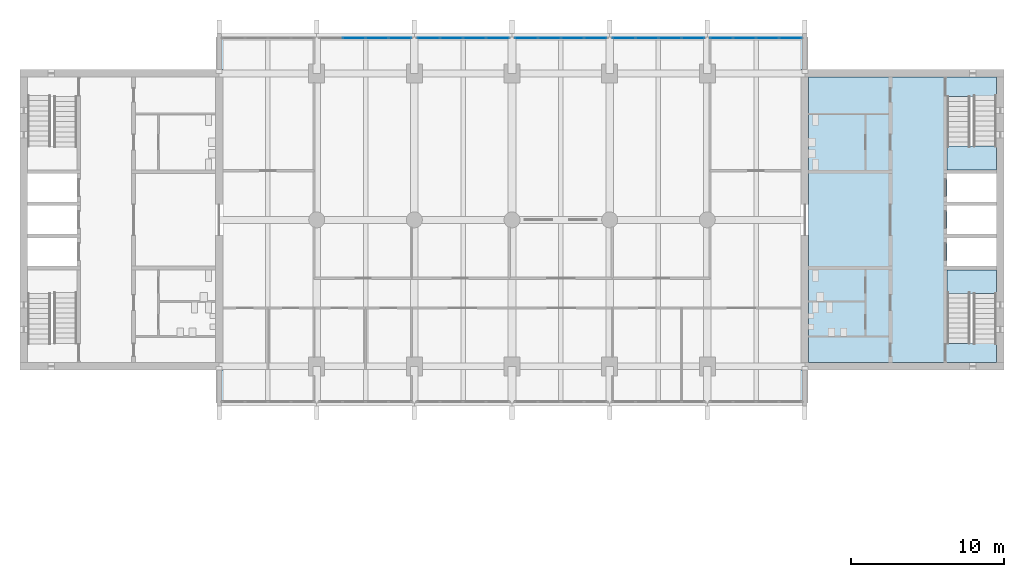
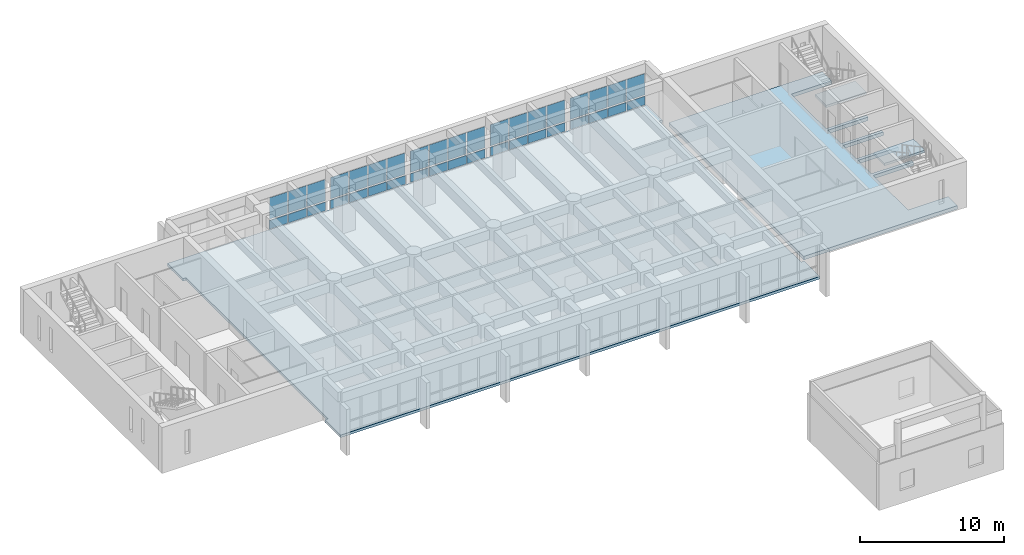
# One storey, part 9 of 19: 38 plates, 4 slabs, 7 elements without a shape of their own.
"""IFC4 building model written with IfcOpenShell, lengths in metres."""

from ifc_helpers import new_model, si_unit, direction, frame, origin, origin_2d, place, context, subcontext, project, spatial, polyline, rectangle, outline, extrude, material, layer, layer_set, type_object, element, aggregate, save


model = new_model("IFC4")

# Units and contexts
model_context = context("Model", 3, precision=1e-05, world=origin(), true_north=direction((0.0, 1.0)))
body_context = subcontext(model_context, "Body", "Model", "MODEL_VIEW")
ifc_project = project(units=[si_unit("LENGTHUNIT", "METRE"), si_unit("AREAUNIT", "SQUARE_METRE"), si_unit("VOLUMEUNIT", "CUBIC_METRE"), si_unit("PLANEANGLEUNIT", "RADIAN"), si_unit("MASSUNIT", "GRAM", prefix="KILO")], contexts=[model_context])

# Site, building, storey
site_placement = place(None, origin())
site = spatial("IfcSite", under=ifc_project, at=site_placement, CompositionType="ELEMENT")
building_placement = place(site_placement, origin())
building = spatial("IfcBuilding", under=site, at=building_placement, Name="Fogon Plaza Fire Station and Headquarters Tower", CompositionType="ELEMENT")
storey_placement = place(building_placement, frame((0.0, 0.0, 24.89990234375)))
storey = spatial("IfcBuildingStorey", under=building, at=storey_placement, Name="L06", CompositionType="ELEMENT", Elevation=24.89990234375)

# Slabs
ifc_material_1 = material(Name="Concrete C40", Category="concrete")
ifc_layer_1 = layer(ifc_material_1, 0.300048828125)
ifc_layer_set_1 = layer_set([ifc_layer_1], Name="Concrete C40")
slab_type_1 = type_object("IfcSlabType", Name="Core Floor Slab RC 300", PredefinedType="FLOOR", material=ifc_layer_set_1)
slab_1_placement = place(storey_placement, frame((0.0, 0.0, -0.2998046875)))
element("IfcSlab", 1, at=slab_1_placement, inside=storey, type_object=slab_type_1, Name="Core B floor", PredefinedType="FLOOR", context=body_context, shape_type="SweptSolid", body=[
    extrude(outline(polyline([(76.550048828125, 35.110107421875), (73.324951171875, 35.110107421875), (73.324951171875, 39.925048828125), (76.550048828125, 39.925048828125), (76.550048828125, 40.175048828125), (73.324951171875, 40.175048828125), (73.324951171875, 42.02490234375), (76.550048828125, 42.02490234375), (76.550048828125, 42.27490234375), (73.324951171875, 42.27490234375), (73.324951171875, 44.125), (76.550048828125, 44.125), (76.550048828125, 44.375), (73.324951171875, 44.375), (73.324951171875, 46.22509765625), (76.550048828125, 46.22509765625), (76.550048828125, 46.47509765625), (73.324951171875, 46.47509765625), (73.324951171875, 51.2900390625), (76.550048828125, 51.2900390625), (76.550048828125, 52.550048828125), (64.25, 52.550048828125), (64.25, 33.85009765625), (76.550048828125, 33.85009765625), (76.550048828125, 35.110107421875)])), origin(), (0.0, 0.0, 1.0), 0.2998046875),
])
ifc_material_2 = material(Name="Concrete C40", Category="concrete")
ifc_layer_2 = layer(ifc_material_2, 0.219970703125)
ifc_layer_set_2 = layer_set([ifc_layer_2], Name="Concrete C40")
slab_type_2 = type_object("IfcSlabType", Name="Floor slab 220 S22", PredefinedType="FLOOR", material=ifc_layer_set_2)
slab_2_placement = place(storey_placement, frame((0.0, 0.0, -0.219970703125)))
element("IfcSlab", 2, at=slab_2_placement, inside=storey, type_object=slab_type_2, Name="slab-L06-bar", PredefinedType="FLOOR", context=body_context, shape_type="SweptSolid", body=[
    extrude(outline(polyline([(64.0, 31.199951171875), (25.60009765625, 31.199951171875), (25.60009765625, 33.35009765625), (25.85009765625, 33.35009765625), (25.85009765625, 53.050048828125), (25.60009765625, 53.050048828125), (25.60009765625, 55.199951171875), (64.0, 55.199951171875), (64.0, 53.050048828125), (63.75, 53.050048828125), (63.75, 33.35009765625), (64.0, 33.35009765625), (64.0, 31.199951171875)])), origin(), (0.0, 0.0, 1.0), 0.219970703125),
])

# Curtain wall, plates
ifc_material_3 = material(Name="Aluminium and glass", Category="aluminium")
ifc_layer_3 = layer(ifc_material_3, 0.14990234375)
ifc_layer_set_3 = layer_set([ifc_layer_3], Name="Aluminium and glass")
curtain_wall_type = type_object("IfcCurtainWallType", Name="Unitised Curtain Wall Run 6100x2880", PredefinedType="NOTDEFINED", material=ifc_layer_set_3)
curtain_wall_1_placement = place(storey_placement, origin())
curtain_wall_1 = element("IfcCurtainWall", 3, at=curtain_wall_1_placement, inside=storey, type_object=curtain_wall_type, Name="CW-6100x2880 N2 L06", PredefinedType="NOTDEFINED")
ifc_material_4 = material(Name="Insulated aluminium spandrel", Category="aluminium")
ifc_layer_4 = layer(ifc_material_4, 0.06005859375)
ifc_layer_set_4 = layer_set([ifc_layer_4], Name="Insulated aluminium spandrel")
plate_type_1 = type_object("IfcPlateType", Name="Insulated Spandrel Panel", PredefinedType="CURTAIN_PANEL", material=ifc_layer_set_4)
plate_1_placement = place(storey_placement, frame((34.445068359375, 55.1201171875, 0.1201171875), z_axis=(0.0, 0.0, 1.0), x_axis=(1.0, 0.0, 0.0)))
plate_1 = element("IfcPlate", 4, at=plate_1_placement, type_object=plate_type_1, Name="SP1 panel 2.1", PredefinedType="CURTAIN_PANEL", context=body_context, shape_type="SweptSolid", body=[
    extrude(rectangle(XDim=1.449951171875, YDim=0.06005859375, at=origin_2d()), origin(), (0.0, 0.0, 1.0), 0.719970703125),
])
plate_2_placement = place(storey_placement, frame((35.955078125, 55.1201171875, 0.1201171875), z_axis=(0.0, 0.0, 1.0), x_axis=(1.0, 0.0, 0.0)))
plate_2 = element("IfcPlate", 5, at=plate_2_placement, type_object=plate_type_1, Name="SP1 panel 3.1", PredefinedType="CURTAIN_PANEL", context=body_context, shape_type="SweptSolid", body=[
    extrude(rectangle(XDim=1.449951171875, YDim=0.06005859375, at=origin_2d()), origin(), (0.0, 0.0, 1.0), 0.719970703125),
])
plate_3_placement = place(storey_placement, frame((37.465087890625, 55.1201171875, 0.1201171875), z_axis=(0.0, 0.0, 1.0), x_axis=(1.0, 0.0, 0.0)))
plate_3 = element("IfcPlate", 6, at=plate_3_placement, type_object=plate_type_1, Name="SP1 panel 4.1", PredefinedType="CURTAIN_PANEL", context=body_context, shape_type="SweptSolid", body=[
    extrude(rectangle(XDim=1.449951171875, YDim=0.06005859375, at=origin_2d()), origin(), (0.0, 0.0, 1.0), 0.719970703125),
])

curtain_wall_2_placement = place(storey_placement, origin())
curtain_wall_2 = element("IfcCurtainWall", 7, at=curtain_wall_2_placement, inside=storey, type_object=curtain_wall_type, Name="CW-6100x2880 N3 L06", PredefinedType="NOTDEFINED")
plate_4_placement = place(storey_placement, frame((39.3349609375, 55.1201171875, 0.1201171875), z_axis=(0.0, 0.0, 1.0), x_axis=(1.0, 0.0, 0.0)))
plate_4 = element("IfcPlate", 8, at=plate_4_placement, type_object=plate_type_1, Name="SP1 panel 1.1", PredefinedType="CURTAIN_PANEL", context=body_context, shape_type="SweptSolid", body=[
    extrude(rectangle(XDim=1.449951171875, YDim=0.06005859375, at=origin_2d()), origin(), (0.0, 0.0, 1.0), 0.719970703125),
])
plate_5_placement = place(storey_placement, frame((40.844970703125, 55.1201171875, 0.1201171875), z_axis=(0.0, 0.0, 1.0), x_axis=(1.0, 0.0, 0.0)))
plate_5 = element("IfcPlate", 9, at=plate_5_placement, type_object=plate_type_1, Name="SP1 panel 2.1", PredefinedType="CURTAIN_PANEL", context=body_context, shape_type="SweptSolid", body=[
    extrude(rectangle(XDim=1.449951171875, YDim=0.06005859375, at=origin_2d()), origin(), (0.0, 0.0, 1.0), 0.719970703125),
])
plate_6_placement = place(storey_placement, frame((42.35498046875, 55.1201171875, 0.1201171875), z_axis=(0.0, 0.0, 1.0), x_axis=(1.0, 0.0, 0.0)))
plate_6 = element("IfcPlate", 10, at=plate_6_placement, type_object=plate_type_1, Name="SP1 panel 3.1", PredefinedType="CURTAIN_PANEL", context=body_context, shape_type="SweptSolid", body=[
    extrude(rectangle(XDim=1.449951171875, YDim=0.06005859375, at=origin_2d()), origin(), (0.0, 0.0, 1.0), 0.719970703125),
])
plate_7_placement = place(storey_placement, frame((43.864990234375, 55.1201171875, 0.1201171875), z_axis=(0.0, 0.0, 1.0), x_axis=(1.0, 0.0, 0.0)))
plate_7 = element("IfcPlate", 11, at=plate_7_placement, type_object=plate_type_1, Name="SP1 panel 4.1", PredefinedType="CURTAIN_PANEL", context=body_context, shape_type="SweptSolid", body=[
    extrude(rectangle(XDim=1.449951171875, YDim=0.06005859375, at=origin_2d()), origin(), (0.0, 0.0, 1.0), 0.719970703125),
])

curtain_wall_3_placement = place(storey_placement, origin())
curtain_wall_3 = element("IfcCurtainWall", 12, at=curtain_wall_3_placement, inside=storey, type_object=curtain_wall_type, Name="CW-6100x2880 N4 L06", PredefinedType="NOTDEFINED")
plate_8_placement = place(storey_placement, frame((45.735107421875, 55.1201171875, 0.1201171875), z_axis=(0.0, 0.0, 1.0), x_axis=(1.0, 0.0, 0.0)))
plate_8 = element("IfcPlate", 13, at=plate_8_placement, type_object=plate_type_1, Name="SP1 panel 1.1", PredefinedType="CURTAIN_PANEL", context=body_context, shape_type="SweptSolid", body=[
    extrude(rectangle(XDim=1.449951171875, YDim=0.06005859375, at=origin_2d()), origin(), (0.0, 0.0, 1.0), 0.719970703125),
])
plate_9_placement = place(storey_placement, frame((47.2451171875, 55.1201171875, 0.1201171875), z_axis=(0.0, 0.0, 1.0), x_axis=(1.0, 0.0, 0.0)))
plate_9 = element("IfcPlate", 14, at=plate_9_placement, type_object=plate_type_1, Name="SP1 panel 2.1", PredefinedType="CURTAIN_PANEL", context=body_context, shape_type="SweptSolid", body=[
    extrude(rectangle(XDim=1.449951171875, YDim=0.06005859375, at=origin_2d()), origin(), (0.0, 0.0, 1.0), 0.719970703125),
])
plate_10_placement = place(storey_placement, frame((48.7548828125, 55.1201171875, 0.1201171875), z_axis=(0.0, 0.0, 1.0), x_axis=(1.0, 0.0, 0.0)))
plate_10 = element("IfcPlate", 15, at=plate_10_placement, type_object=plate_type_1, Name="SP1 panel 3.1", PredefinedType="CURTAIN_PANEL", context=body_context, shape_type="SweptSolid", body=[
    extrude(rectangle(XDim=1.449951171875, YDim=0.06005859375, at=origin_2d()), origin(), (0.0, 0.0, 1.0), 0.719970703125),
])
plate_11_placement = place(storey_placement, frame((50.264892578125, 55.1201171875, 0.1201171875), z_axis=(0.0, 0.0, 1.0), x_axis=(1.0, 0.0, 0.0)))
plate_11 = element("IfcPlate", 16, at=plate_11_placement, type_object=plate_type_1, Name="SP1 panel 4.1", PredefinedType="CURTAIN_PANEL", context=body_context, shape_type="SweptSolid", body=[
    extrude(rectangle(XDim=1.449951171875, YDim=0.06005859375, at=origin_2d()), origin(), (0.0, 0.0, 1.0), 0.719970703125),
])

curtain_wall_4_placement = place(storey_placement, origin())
curtain_wall_4 = element("IfcCurtainWall", 17, at=curtain_wall_4_placement, inside=storey, type_object=curtain_wall_type, Name="CW-6100x2880 N5 L06", PredefinedType="NOTDEFINED")
plate_12_placement = place(storey_placement, frame((52.135009765625, 55.1201171875, 0.1201171875), z_axis=(0.0, 0.0, 1.0), x_axis=(1.0, 0.0, 0.0)))
plate_12 = element("IfcPlate", 18, at=plate_12_placement, type_object=plate_type_1, Name="SP1 panel 1.1", PredefinedType="CURTAIN_PANEL", context=body_context, shape_type="SweptSolid", body=[
    extrude(rectangle(XDim=1.449951171875, YDim=0.06005859375, at=origin_2d()), origin(), (0.0, 0.0, 1.0), 0.719970703125),
])
plate_13_placement = place(storey_placement, frame((53.64501953125, 55.1201171875, 0.1201171875), z_axis=(0.0, 0.0, 1.0), x_axis=(1.0, 0.0, 0.0)))
plate_13 = element("IfcPlate", 19, at=plate_13_placement, type_object=plate_type_1, Name="SP1 panel 2.1", PredefinedType="CURTAIN_PANEL", context=body_context, shape_type="SweptSolid", body=[
    extrude(rectangle(XDim=1.449951171875, YDim=0.06005859375, at=origin_2d()), origin(), (0.0, 0.0, 1.0), 0.719970703125),
])
plate_14_placement = place(storey_placement, frame((55.155029296875, 55.1201171875, 0.1201171875), z_axis=(0.0, 0.0, 1.0), x_axis=(1.0, 0.0, 0.0)))
plate_14 = element("IfcPlate", 20, at=plate_14_placement, type_object=plate_type_1, Name="SP1 panel 3.1", PredefinedType="CURTAIN_PANEL", context=body_context, shape_type="SweptSolid", body=[
    extrude(rectangle(XDim=1.449951171875, YDim=0.06005859375, at=origin_2d()), origin(), (0.0, 0.0, 1.0), 0.719970703125),
])
plate_15_placement = place(storey_placement, frame((56.6650390625, 55.1201171875, 0.1201171875), z_axis=(0.0, 0.0, 1.0), x_axis=(1.0, 0.0, 0.0)))
plate_15 = element("IfcPlate", 21, at=plate_15_placement, type_object=plate_type_1, Name="SP1 panel 4.1", PredefinedType="CURTAIN_PANEL", context=body_context, shape_type="SweptSolid", body=[
    extrude(rectangle(XDim=1.449951171875, YDim=0.06005859375, at=origin_2d()), origin(), (0.0, 0.0, 1.0), 0.719970703125),
])

curtain_wall_5_placement = place(storey_placement, origin())
curtain_wall_5 = element("IfcCurtainWall", 22, at=curtain_wall_5_placement, inside=storey, type_object=curtain_wall_type, Name="CW-6100x2880 N6 L06", PredefinedType="NOTDEFINED")
plate_16_placement = place(storey_placement, frame((58.534912109375, 55.1201171875, 0.1201171875), z_axis=(0.0, 0.0, 1.0), x_axis=(1.0, 0.0, 0.0)))
plate_16 = element("IfcPlate", 23, at=plate_16_placement, type_object=plate_type_1, Name="SP1 panel 1.1", PredefinedType="CURTAIN_PANEL", context=body_context, shape_type="SweptSolid", body=[
    extrude(rectangle(XDim=1.449951171875, YDim=0.06005859375, at=origin_2d()), origin(), (0.0, 0.0, 1.0), 0.719970703125),
])
plate_17_placement = place(storey_placement, frame((60.044921875, 55.1201171875, 0.1201171875), z_axis=(0.0, 0.0, 1.0), x_axis=(1.0, 0.0, 0.0)))
plate_17 = element("IfcPlate", 24, at=plate_17_placement, type_object=plate_type_1, Name="SP1 panel 2.1", PredefinedType="CURTAIN_PANEL", context=body_context, shape_type="SweptSolid", body=[
    extrude(rectangle(XDim=1.449951171875, YDim=0.06005859375, at=origin_2d()), origin(), (0.0, 0.0, 1.0), 0.719970703125),
])
plate_18_placement = place(storey_placement, frame((61.554931640625, 55.1201171875, 0.1201171875), z_axis=(0.0, 0.0, 1.0), x_axis=(1.0, 0.0, 0.0)))
plate_18 = element("IfcPlate", 25, at=plate_18_placement, type_object=plate_type_1, Name="SP1 panel 3.1", PredefinedType="CURTAIN_PANEL", context=body_context, shape_type="SweptSolid", body=[
    extrude(rectangle(XDim=1.449951171875, YDim=0.06005859375, at=origin_2d()), origin(), (0.0, 0.0, 1.0), 0.719970703125),
])
plate_19_placement = place(storey_placement, frame((63.06494140625, 55.1201171875, 0.1201171875), z_axis=(0.0, 0.0, 1.0), x_axis=(1.0, 0.0, 0.0)))
plate_19 = element("IfcPlate", 26, at=plate_19_placement, type_object=plate_type_1, Name="SP1 panel 4.1", PredefinedType="CURTAIN_PANEL", context=body_context, shape_type="SweptSolid", body=[
    extrude(rectangle(XDim=1.449951171875, YDim=0.06005859375, at=origin_2d()), origin(), (0.0, 0.0, 1.0), 0.719970703125),
])

# Stair, slab
ifc_material_5 = material(Name="Concrete C40", Category="concrete")
stair_type = type_object("IfcStairType", Name="Exit Stair Two Flights", PredefinedType="TWO_STRAIGHT_RUN_STAIR", material=ifc_material_5)
stair_1_placement = place(storey_placement, origin())
stair_1 = element("IfcStair", 27, at=stair_1_placement, inside=storey, type_object=stair_type, Name="Stair ST3", PredefinedType="TWO_STRAIGHT_RUN_STAIR")
ifc_material_6 = material(Name="Concrete C40", Category="concrete")
ifc_layer_5 = layer(ifc_material_6, 0.300048828125)
ifc_layer_set_5 = layer_set([ifc_layer_5], Name="Concrete C40")
slab_type_3 = type_object("IfcSlabType", Name="Stair Landing RC 300", PredefinedType="LANDING", material=ifc_layer_set_5)
slab_3_placement = place(storey_placement, frame((0.0, 0.0, 1.75)))
slab_3 = element("IfcSlab", 28, at=slab_3_placement, type_object=slab_type_3, Name="ST3 landing L08", PredefinedType="LANDING", context=body_context, shape_type="SweptSolid", body=[
    extrude(outline(polyline([(73.324951171875, 38.375), (76.550048828125, 38.375), (76.550048828125, 39.925048828125), (73.324951171875, 39.925048828125), (73.324951171875, 38.375)])), origin(), (0.0, 0.0, 1.0), 0.2001953125),
])
aggregate(stair_1, [slab_3])

stair_2_placement = place(storey_placement, origin())
stair_2 = element("IfcStair", 29, at=stair_2_placement, inside=storey, type_object=stair_type, Name="Stair ST4", PredefinedType="TWO_STRAIGHT_RUN_STAIR")
slab_4_placement = place(storey_placement, frame((0.0, 0.0, 1.75)))
slab_4 = element("IfcSlab", 30, at=slab_4_placement, type_object=slab_type_3, Name="ST4 landing L08", PredefinedType="LANDING", context=body_context, shape_type="SweptSolid", body=[
    extrude(outline(polyline([(73.324951171875, 46.47509765625), (76.550048828125, 46.47509765625), (76.550048828125, 48.02490234375), (73.324951171875, 48.02490234375), (73.324951171875, 46.47509765625)])), origin(), (0.0, 0.0, 1.0), 0.2001953125),
])
aggregate(stair_2, [slab_4])

# Plate
ifc_material_7 = material(Name="Low-e double glazing", Category="glass")
ifc_layer_6 = layer(ifc_material_7, 0.028076171875)
ifc_layer_set_6 = layer_set([ifc_layer_6], Name="Low-e double glazing")
plate_type_2 = type_object("IfcPlateType", Name="Vision Glass Panel 1450x1800", PredefinedType="CURTAIN_PANEL", material=ifc_layer_set_6)
plate_20_placement = place(storey_placement, frame((34.445068359375, 55.1201171875, 0.9599609375), z_axis=(0.0, 0.0, 1.0), x_axis=(1.0, 0.0, 0.0)))
plate_20 = element("IfcPlate", 31, at=plate_20_placement, type_object=plate_type_2, Name="VG-1450x1800 panel 2.2", PredefinedType="CURTAIN_PANEL", context=body_context, shape_type="SweptSolid", body=[
    extrude(rectangle(XDim=1.449951171875, YDim=0.028076171875, at=origin_2d()), origin(), (0.0, 0.0, 1.0), 1.800048828125),
])

plate_21_placement = place(storey_placement, frame((35.955078125, 55.1201171875, 0.9599609375), z_axis=(0.0, 0.0, 1.0), x_axis=(1.0, 0.0, 0.0)))
plate_21 = element("IfcPlate", 32, at=plate_21_placement, type_object=plate_type_2, Name="VG-1450x1800 panel 3.2", PredefinedType="CURTAIN_PANEL", context=body_context, shape_type="SweptSolid", body=[
    extrude(rectangle(XDim=1.449951171875, YDim=0.028076171875, at=origin_2d()), origin(), (0.0, 0.0, 1.0), 1.800048828125),
])

plate_22_placement = place(storey_placement, frame((37.465087890625, 55.1201171875, 0.9599609375), z_axis=(0.0, 0.0, 1.0), x_axis=(1.0, 0.0, 0.0)))
plate_22 = element("IfcPlate", 33, at=plate_22_placement, type_object=plate_type_2, Name="VG-1450x1800 panel 4.2", PredefinedType="CURTAIN_PANEL", context=body_context, shape_type="SweptSolid", body=[
    extrude(rectangle(XDim=1.449951171875, YDim=0.028076171875, at=origin_2d()), origin(), (0.0, 0.0, 1.0), 1.800048828125),
])

aggregate(curtain_wall_1, [plate_1, plate_20, plate_2, plate_21, plate_3, plate_22])

plate_23_placement = place(storey_placement, frame((39.3349609375, 55.1201171875, 0.9599609375), z_axis=(0.0, 0.0, 1.0), x_axis=(1.0, 0.0, 0.0)))
plate_23 = element("IfcPlate", 34, at=plate_23_placement, type_object=plate_type_2, Name="VG-1450x1800 panel 1.2", PredefinedType="CURTAIN_PANEL", context=body_context, shape_type="SweptSolid", body=[
    extrude(rectangle(XDim=1.449951171875, YDim=0.028076171875, at=origin_2d()), origin(), (0.0, 0.0, 1.0), 1.800048828125),
])

plate_24_placement = place(storey_placement, frame((40.844970703125, 55.1201171875, 0.9599609375), z_axis=(0.0, 0.0, 1.0), x_axis=(1.0, 0.0, 0.0)))
plate_24 = element("IfcPlate", 35, at=plate_24_placement, type_object=plate_type_2, Name="VG-1450x1800 panel 2.2", PredefinedType="CURTAIN_PANEL", context=body_context, shape_type="SweptSolid", body=[
    extrude(rectangle(XDim=1.449951171875, YDim=0.028076171875, at=origin_2d()), origin(), (0.0, 0.0, 1.0), 1.800048828125),
])

plate_25_placement = place(storey_placement, frame((42.35498046875, 55.1201171875, 0.9599609375), z_axis=(0.0, 0.0, 1.0), x_axis=(1.0, 0.0, 0.0)))
plate_25 = element("IfcPlate", 36, at=plate_25_placement, type_object=plate_type_2, Name="VG-1450x1800 panel 3.2", PredefinedType="CURTAIN_PANEL", context=body_context, shape_type="SweptSolid", body=[
    extrude(rectangle(XDim=1.449951171875, YDim=0.028076171875, at=origin_2d()), origin(), (0.0, 0.0, 1.0), 1.800048828125),
])

plate_26_placement = place(storey_placement, frame((43.864990234375, 55.1201171875, 0.9599609375), z_axis=(0.0, 0.0, 1.0), x_axis=(1.0, 0.0, 0.0)))
plate_26 = element("IfcPlate", 37, at=plate_26_placement, type_object=plate_type_2, Name="VG-1450x1800 panel 4.2", PredefinedType="CURTAIN_PANEL", context=body_context, shape_type="SweptSolid", body=[
    extrude(rectangle(XDim=1.449951171875, YDim=0.028076171875, at=origin_2d()), origin(), (0.0, 0.0, 1.0), 1.800048828125),
])

aggregate(curtain_wall_2, [plate_4, plate_23, plate_5, plate_24, plate_6, plate_25, plate_7, plate_26])

plate_27_placement = place(storey_placement, frame((45.735107421875, 55.1201171875, 0.9599609375), z_axis=(0.0, 0.0, 1.0), x_axis=(1.0, 0.0, 0.0)))
plate_27 = element("IfcPlate", 38, at=plate_27_placement, type_object=plate_type_2, Name="VG-1450x1800 panel 1.2", PredefinedType="CURTAIN_PANEL", context=body_context, shape_type="SweptSolid", body=[
    extrude(rectangle(XDim=1.449951171875, YDim=0.028076171875, at=origin_2d()), origin(), (0.0, 0.0, 1.0), 1.800048828125),
])

plate_28_placement = place(storey_placement, frame((47.2451171875, 55.1201171875, 0.9599609375), z_axis=(0.0, 0.0, 1.0), x_axis=(1.0, 0.0, 0.0)))
plate_28 = element("IfcPlate", 39, at=plate_28_placement, type_object=plate_type_2, Name="VG-1450x1800 panel 2.2", PredefinedType="CURTAIN_PANEL", context=body_context, shape_type="SweptSolid", body=[
    extrude(rectangle(XDim=1.449951171875, YDim=0.028076171875, at=origin_2d()), origin(), (0.0, 0.0, 1.0), 1.800048828125),
])

plate_29_placement = place(storey_placement, frame((48.7548828125, 55.1201171875, 0.9599609375), z_axis=(0.0, 0.0, 1.0), x_axis=(1.0, 0.0, 0.0)))
plate_29 = element("IfcPlate", 40, at=plate_29_placement, type_object=plate_type_2, Name="VG-1450x1800 panel 3.2", PredefinedType="CURTAIN_PANEL", context=body_context, shape_type="SweptSolid", body=[
    extrude(rectangle(XDim=1.449951171875, YDim=0.028076171875, at=origin_2d()), origin(), (0.0, 0.0, 1.0), 1.800048828125),
])

plate_30_placement = place(storey_placement, frame((50.264892578125, 55.1201171875, 0.9599609375), z_axis=(0.0, 0.0, 1.0), x_axis=(1.0, 0.0, 0.0)))
plate_30 = element("IfcPlate", 41, at=plate_30_placement, type_object=plate_type_2, Name="VG-1450x1800 panel 4.2", PredefinedType="CURTAIN_PANEL", context=body_context, shape_type="SweptSolid", body=[
    extrude(rectangle(XDim=1.449951171875, YDim=0.028076171875, at=origin_2d()), origin(), (0.0, 0.0, 1.0), 1.800048828125),
])

aggregate(curtain_wall_3, [plate_8, plate_27, plate_9, plate_28, plate_10, plate_29, plate_11, plate_30])

plate_31_placement = place(storey_placement, frame((52.135009765625, 55.1201171875, 0.9599609375), z_axis=(0.0, 0.0, 1.0), x_axis=(1.0, 0.0, 0.0)))
plate_31 = element("IfcPlate", 42, at=plate_31_placement, type_object=plate_type_2, Name="VG-1450x1800 panel 1.2", PredefinedType="CURTAIN_PANEL", context=body_context, shape_type="SweptSolid", body=[
    extrude(rectangle(XDim=1.449951171875, YDim=0.028076171875, at=origin_2d()), origin(), (0.0, 0.0, 1.0), 1.800048828125),
])

plate_32_placement = place(storey_placement, frame((53.64501953125, 55.1201171875, 0.9599609375), z_axis=(0.0, 0.0, 1.0), x_axis=(1.0, 0.0, 0.0)))
plate_32 = element("IfcPlate", 43, at=plate_32_placement, type_object=plate_type_2, Name="VG-1450x1800 panel 2.2", PredefinedType="CURTAIN_PANEL", context=body_context, shape_type="SweptSolid", body=[
    extrude(rectangle(XDim=1.449951171875, YDim=0.028076171875, at=origin_2d()), origin(), (0.0, 0.0, 1.0), 1.800048828125),
])

plate_33_placement = place(storey_placement, frame((55.155029296875, 55.1201171875, 0.9599609375), z_axis=(0.0, 0.0, 1.0), x_axis=(1.0, 0.0, 0.0)))
plate_33 = element("IfcPlate", 44, at=plate_33_placement, type_object=plate_type_2, Name="VG-1450x1800 panel 3.2", PredefinedType="CURTAIN_PANEL", context=body_context, shape_type="SweptSolid", body=[
    extrude(rectangle(XDim=1.449951171875, YDim=0.028076171875, at=origin_2d()), origin(), (0.0, 0.0, 1.0), 1.800048828125),
])

plate_34_placement = place(storey_placement, frame((56.6650390625, 55.1201171875, 0.9599609375), z_axis=(0.0, 0.0, 1.0), x_axis=(1.0, 0.0, 0.0)))
plate_34 = element("IfcPlate", 45, at=plate_34_placement, type_object=plate_type_2, Name="VG-1450x1800 panel 4.2", PredefinedType="CURTAIN_PANEL", context=body_context, shape_type="SweptSolid", body=[
    extrude(rectangle(XDim=1.449951171875, YDim=0.028076171875, at=origin_2d()), origin(), (0.0, 0.0, 1.0), 1.800048828125),
])

aggregate(curtain_wall_4, [plate_12, plate_31, plate_13, plate_32, plate_14, plate_33, plate_15, plate_34])

plate_35_placement = place(storey_placement, frame((58.534912109375, 55.1201171875, 0.9599609375), z_axis=(0.0, 0.0, 1.0), x_axis=(1.0, 0.0, 0.0)))
plate_35 = element("IfcPlate", 46, at=plate_35_placement, type_object=plate_type_2, Name="VG-1450x1800 panel 1.2", PredefinedType="CURTAIN_PANEL", context=body_context, shape_type="SweptSolid", body=[
    extrude(rectangle(XDim=1.449951171875, YDim=0.028076171875, at=origin_2d()), origin(), (0.0, 0.0, 1.0), 1.800048828125),
])

plate_36_placement = place(storey_placement, frame((60.044921875, 55.1201171875, 0.9599609375), z_axis=(0.0, 0.0, 1.0), x_axis=(1.0, 0.0, 0.0)))
plate_36 = element("IfcPlate", 47, at=plate_36_placement, type_object=plate_type_2, Name="VG-1450x1800 panel 2.2", PredefinedType="CURTAIN_PANEL", context=body_context, shape_type="SweptSolid", body=[
    extrude(rectangle(XDim=1.449951171875, YDim=0.028076171875, at=origin_2d()), origin(), (0.0, 0.0, 1.0), 1.800048828125),
])

plate_37_placement = place(storey_placement, frame((61.554931640625, 55.1201171875, 0.9599609375), z_axis=(0.0, 0.0, 1.0), x_axis=(1.0, 0.0, 0.0)))
plate_37 = element("IfcPlate", 48, at=plate_37_placement, type_object=plate_type_2, Name="VG-1450x1800 panel 3.2", PredefinedType="CURTAIN_PANEL", context=body_context, shape_type="SweptSolid", body=[
    extrude(rectangle(XDim=1.449951171875, YDim=0.028076171875, at=origin_2d()), origin(), (0.0, 0.0, 1.0), 1.800048828125),
])

plate_38_placement = place(storey_placement, frame((63.06494140625, 55.1201171875, 0.9599609375), z_axis=(0.0, 0.0, 1.0), x_axis=(1.0, 0.0, 0.0)))
plate_38 = element("IfcPlate", 49, at=plate_38_placement, type_object=plate_type_2, Name="VG-1450x1800 panel 4.2", PredefinedType="CURTAIN_PANEL", context=body_context, shape_type="SweptSolid", body=[
    extrude(rectangle(XDim=1.449951171875, YDim=0.028076171875, at=origin_2d()), origin(), (0.0, 0.0, 1.0), 1.800048828125),
])

aggregate(curtain_wall_5, [plate_16, plate_35, plate_17, plate_36, plate_18, plate_37, plate_19, plate_38])

save(model, "model.ifc")
